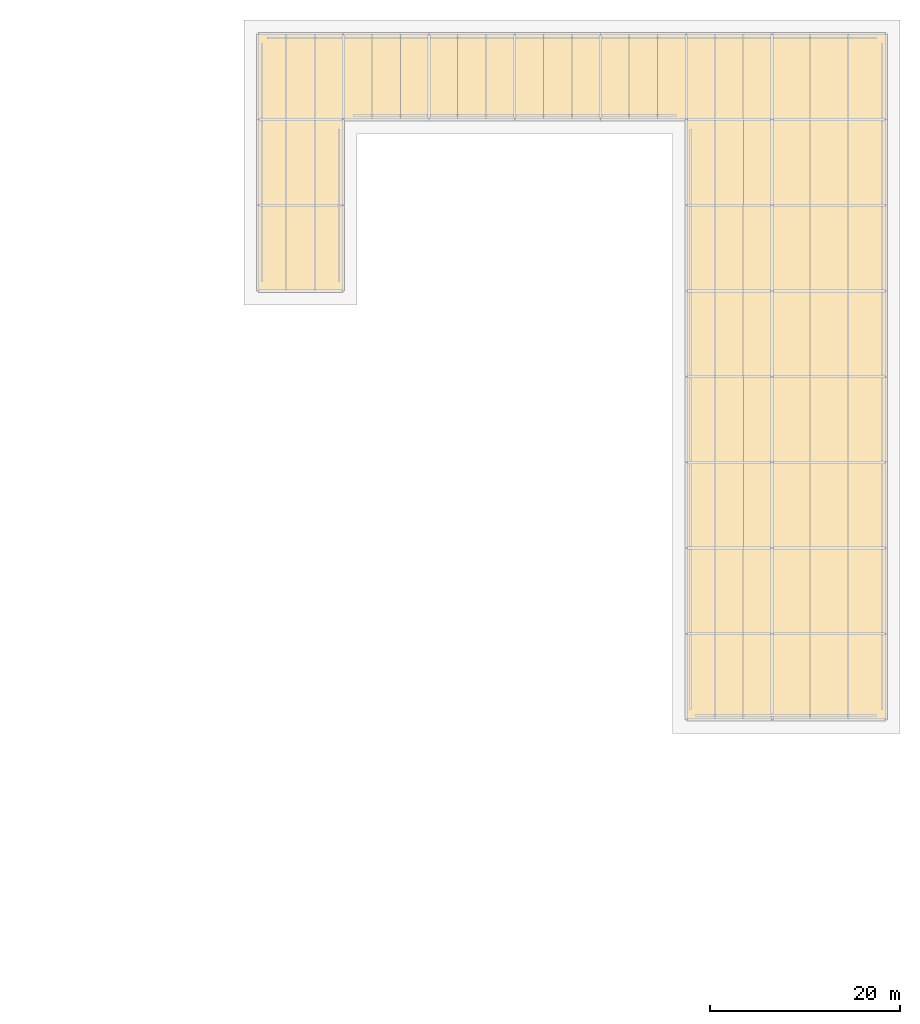
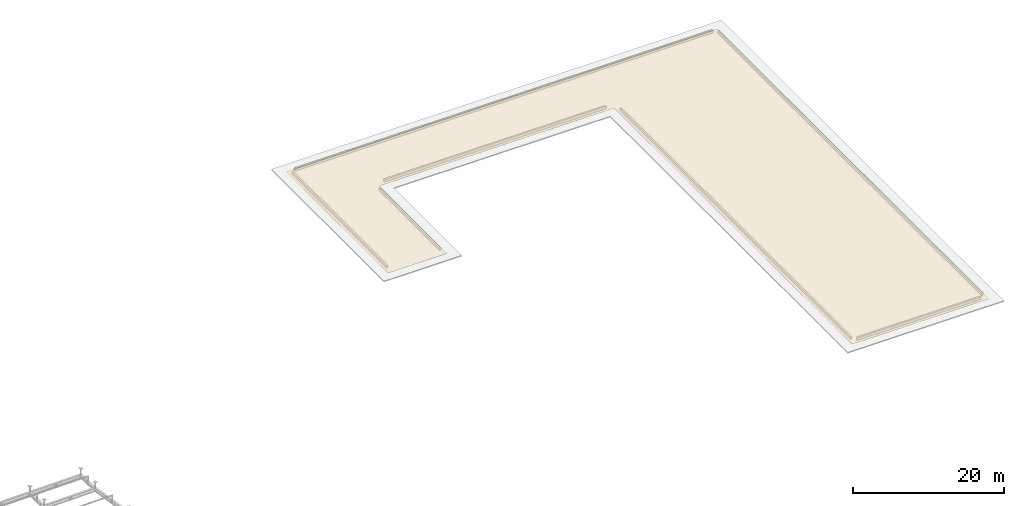
# One storey, part 80 of 80: 1 covering.
"""IFC4 building model written with IfcOpenShell, lengths in metres."""

from ifc_helpers import new_model, si_unit, direction, frame, origin, place, context, subcontext, project, spatial, polyline, outline, extrude, material, layer, layer_set, type_object, element, save


model = new_model("IFC4")

# Units and contexts
model_context = context("Model", 3, precision=1e-05, world=origin(), true_north=direction((0.0, 1.0)))
body_context = subcontext(model_context, "Body", "Model", "MODEL_VIEW")
ifc_project = project(units=[si_unit("LENGTHUNIT", "METRE"), si_unit("AREAUNIT", "SQUARE_METRE"), si_unit("VOLUMEUNIT", "CUBIC_METRE"), si_unit("PLANEANGLEUNIT", "RADIAN"), si_unit("MASSUNIT", "GRAM", prefix="KILO")], contexts=[model_context])

# Site, building, storey
site_placement = place(None, origin())
site = spatial("IfcSite", under=ifc_project, at=site_placement, CompositionType="ELEMENT")
building_placement = place(site_placement, origin())
building = spatial("IfcBuilding", under=site, at=building_placement, Name="Barlavento Convention Centre", CompositionType="ELEMENT")
storey_placement = place(building_placement, frame((0.0, 0.0, 29.800048828125)))
storey = spatial("IfcBuildingStorey", under=building, at=storey_placement, Name="RF", CompositionType="ELEMENT", Elevation=29.800048828125)

# Covering
ifc_material = material(Name="Insulated typhoon waterproof roofing membrane")
ifc_layer = layer(ifc_material, 0.0400390625)
ifc_layer_set = layer_set([ifc_layer], Name="ARC-COV-ROOFING-40")
covering_type = type_object("IfcCoveringType", Name="ARC-COV-ROOFING-40", PredefinedType="ROOFING", material=ifc_layer_set)
covering_placement = place(storey_placement, frame((0.0, 0.0, 0.050048828125)))
element("IfcCovering", 1, at=covering_placement, inside=storey, type_object=covering_type, Name="RF insulated waterproof roof covering", PredefinedType="ROOFING", context=body_context, shape_type="SweptSolid", body=[
    extrude(outline(polyline([(171.0, 27.0), (192.0, 27.0), (192.0, 99.0), (126.0, 99.0), (126.0, 72.0), (135.0, 72.0), (135.0, 90.0), (171.0, 90.0), (171.0, 27.0)])), origin(), (0.0, 0.0, 1.0), 0.039794921875),
])

save(model, "model.ifc")
